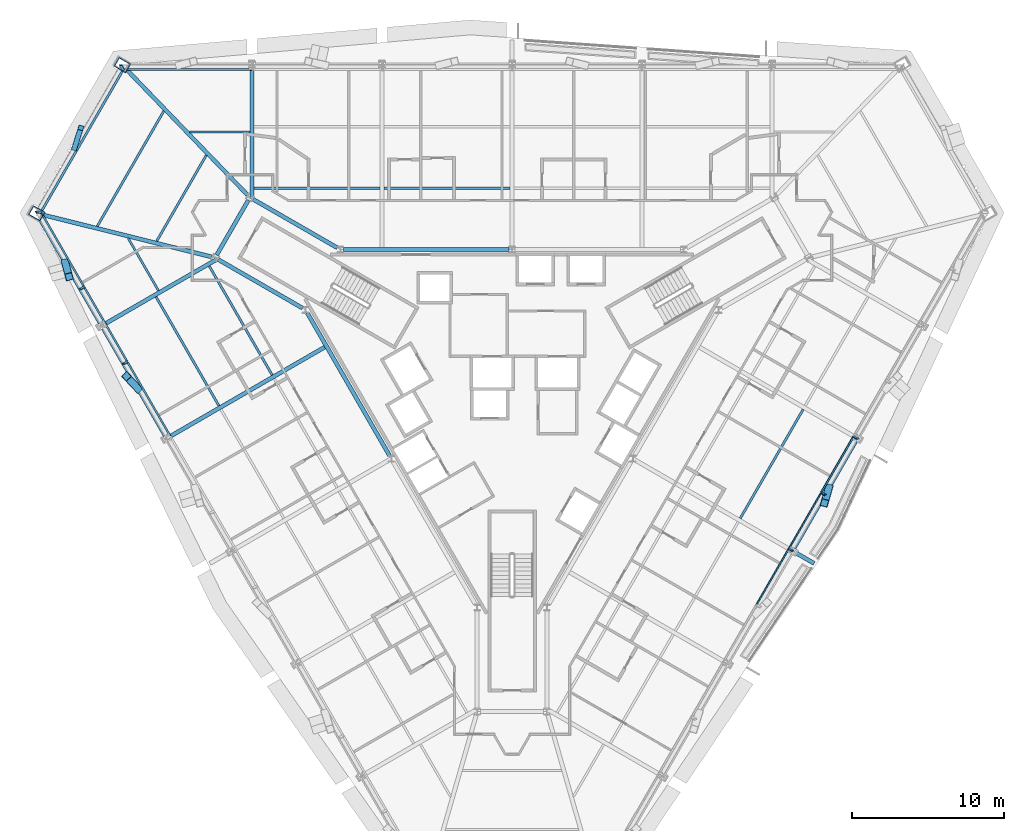
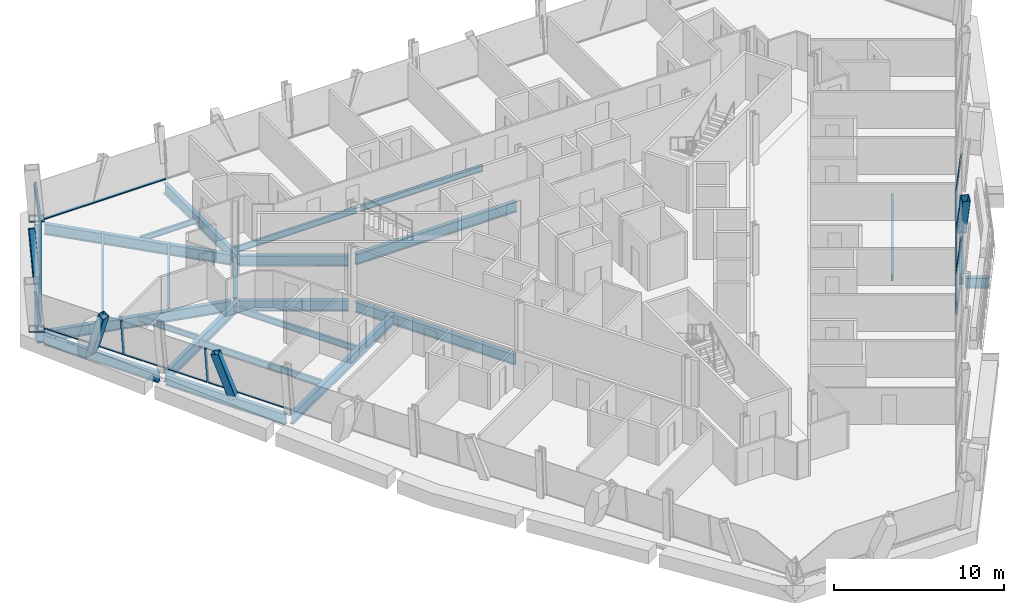
# One storey, part 4 of 15: 24 beams, 21 members, 4 elements without a shape of their own.
"""IFC4 building model written with IfcOpenShell, lengths in metres."""

from ifc_helpers import new_model, si_unit, direction, frame, origin, origin_2d, place, context, subcontext, project, spatial, rectangle, hollow_rectangle, i_section, extrude, material, material_profile, profile_set, type_object, element, aggregate, save


model = new_model("IFC4")

# Units and contexts
model_context = context("Model", 3, precision=1e-05, world=origin(), true_north=direction((0.0, 1.0)))
body_context = subcontext(model_context, "Body", "Model", "MODEL_VIEW")
ifc_project = project(units=[si_unit("LENGTHUNIT", "METRE"), si_unit("AREAUNIT", "SQUARE_METRE"), si_unit("VOLUMEUNIT", "CUBIC_METRE"), si_unit("PLANEANGLEUNIT", "RADIAN"), si_unit("MASSUNIT", "GRAM", prefix="KILO")], contexts=[model_context])

# Site, building, storey
site_placement = place(None, origin())
site = spatial("IfcSite", under=ifc_project, at=site_placement, CompositionType="ELEMENT")
building_placement = place(site_placement, origin())
building = spatial("IfcBuilding", under=site, at=building_placement, Name="Verrane Prism Tower", CompositionType="ELEMENT")
storey_placement = place(building_placement, frame((0.0, 0.0, 72.800048828125)))
storey = spatial("IfcBuildingStorey", under=building, at=storey_placement, Name="L16", CompositionType="ELEMENT", Elevation=72.800048828125)

# Member
ifc_material_1 = material(Name="Steel A500 Grade C", Category="steel")
ifc_material_profile_1 = material_profile(ifc_material_1, hollow_rectangle(XDim=0.355712890625, YDim=0.355712890625, WallThickness=0.0126953125, InnerFilletRadius=0.00634765625, OuterFilletRadius=0.01904296875, at=origin_2d()), Name="HSS14x14x1/2")
ifc_profile_set_1 = profile_set([ifc_material_profile_1], Name="Steel A500 Grade C")
member_type_1 = type_object("IfcMemberType", Name="Chamfer brace HSS14x14x1/2", PredefinedType="BRACE", material=ifc_profile_set_1)
member_1_placement = place(storey_placement, frame((-28.880615234375, 15.89892578125, -0.2451171875), z_axis=(0.127633458917, 0.402502282104, 0.906477585529), x_axis=(-0.953223279315, 0.302267066967, 0.0)))
element("IfcMember", 1, at=member_1_placement, inside=storey, type_object=member_type_1, Name="Chamfer brace NW0 L16", PredefinedType="BRACE", context=body_context, shape_type="SweptSolid", body=[
    extrude(hollow_rectangle(XDim=0.355712890625, YDim=0.355712890625, WallThickness=0.0126953125, InnerFilletRadius=0.00634765625, OuterFilletRadius=0.01904296875, at=origin_2d()), origin(), (0.0, 0.0, 1.0), 3.31298828125),
])

# Beams
ifc_material_2 = material(Name="Steel A992", Category="steel")
ifc_material_profile_2 = material_profile(ifc_material_2, i_section(OverallWidth=0.2666015625, OverallDepth=0.76708984375, WebThickness=0.014892578125, FlangeThickness=0.023681640625, FilletRadius=0.0166015625, at=origin_2d()), Name="W30x124")
ifc_profile_set_2 = profile_set([ifc_material_profile_2], Name="Steel A992")
beam_type_1 = type_object("IfcBeamType", Name="Chamfer spandrel beam W30x124", PredefinedType="SPANDREL", material=ifc_profile_set_2)
beam_1_placement = place(storey_placement, frame((-25.89501953125, 21.06689453125, -0.54345703125), z_axis=(-0.500233062516, -0.865890803257, 0.0), x_axis=(0.865890803257, -0.500233062516, 0.0)))
element("IfcBeam", 2, at=beam_1_placement, inside=storey, type_object=beam_type_1, Name="Chamfer spandrel beam L16", PredefinedType="SPANDREL", context=body_context, shape_type="SweptSolid", body=[
    extrude(i_section(OverallWidth=0.2666015625, OverallDepth=0.76708984375, WebThickness=0.014892578125, FlangeThickness=0.023681640625, FilletRadius=0.0166015625, at=origin_2d()), origin(), (0.0, 0.0, 1.0), 10.5947265625),
])
ifc_material_3 = material(Name="Steel A992", Category="steel")
ifc_material_profile_3 = material_profile(ifc_material_3, i_section(OverallWidth=0.2666015625, OverallDepth=0.7568359375, WebThickness=0.013916015625, FlangeThickness=0.019287109375, FilletRadius=0.0166015625, at=origin_2d()), Name="W30x108")
ifc_profile_set_3 = profile_set([ifc_material_profile_3], Name="Steel A992")
beam_type_2 = type_object("IfcBeamType", Name="Core ring girder W30x108", PredefinedType="BEAM", material=ifc_profile_set_3)
beam_2_placement = place(storey_placement, frame((-0.203125, 9.199951171875, -0.628662109375), z_axis=(-1.0, 0.0, 0.0), x_axis=(0.0, -1.0, 0.0)))
element("IfcBeam", 3, at=beam_2_placement, inside=storey, type_object=beam_type_2, Name="Core ring girder L16", PredefinedType="BEAM", context=body_context, shape_type="SweptSolid", body=[
    extrude(i_section(OverallWidth=0.2666015625, OverallDepth=0.7568359375, WebThickness=0.013916015625, FlangeThickness=0.019287109375, FilletRadius=0.0166015625, at=origin_2d()), origin(), (0.0, 0.0, 1.0), 10.923583984375),
])
beam_3_placement = place(storey_placement, frame((-11.533203125, 9.317138671875, -0.628662109375), z_axis=(-0.866447229751, 0.499268663203, 0.0), x_axis=(-0.499268663203, -0.866447229751, 0.0)))
element("IfcBeam", 4, at=beam_3_placement, inside=storey, type_object=beam_type_2, Name="Core ring girder L16", PredefinedType="BEAM", context=body_context, shape_type="SweptSolid", body=[
    extrude(i_section(OverallWidth=0.2666015625, OverallDepth=0.7568359375, WebThickness=0.013916015625, FlangeThickness=0.019287109375, FilletRadius=0.0166015625, at=origin_2d()), origin(), (0.0, 0.0, 1.0), 6.428466796875),
])
beam_4_placement = place(storey_placement, frame((-17.40478515625, 12.45849609375, -0.628662109375), z_axis=(-0.500349643494, -0.865823442888, 0.0), x_axis=(0.865823442888, -0.500349643494, 0.0)))
element("IfcBeam", 5, at=beam_4_placement, inside=storey, type_object=beam_type_2, Name="Core ring girder L16", PredefinedType="BEAM", context=body_context, shape_type="SweptSolid", body=[
    extrude(i_section(OverallWidth=0.2666015625, OverallDepth=0.7568359375, WebThickness=0.013916015625, FlangeThickness=0.019287109375, FilletRadius=0.0166015625, at=origin_2d()), origin(), (0.0, 0.0, 1.0), 4.177734375),
])
beam_5_placement = place(storey_placement, frame((-19.403076171875, 8.54638671875, -0.628662109375), z_axis=(0.86646365882, -0.499240150574, 0.0), x_axis=(0.499240150574, 0.86646365882, 0.0)))
element("IfcBeam", 6, at=beam_5_placement, inside=storey, type_object=beam_type_2, Name="Core ring girder L16", PredefinedType="BEAM", context=body_context, shape_type="SweptSolid", body=[
    extrude(i_section(OverallWidth=0.2666015625, OverallDepth=0.7568359375, WebThickness=0.013916015625, FlangeThickness=0.019287109375, FilletRadius=0.0166015625, at=origin_2d()), origin(), (0.0, 0.0, 1.0), 6.42822265625),
])
beam_6_placement = place(storey_placement, frame((-13.510009765625, 5.01171875, -0.628662109375), z_axis=(0.499371892062, -0.866387738498, 0.0), x_axis=(0.866387738498, 0.499371892062, 0.0)))
element("IfcBeam", 7, at=beam_6_placement, inside=storey, type_object=beam_type_2, Name="Core ring girder L16", PredefinedType="BEAM", context=body_context, shape_type="SweptSolid", body=[
    extrude(i_section(OverallWidth=0.2666015625, OverallDepth=0.7568359375, WebThickness=0.013916015625, FlangeThickness=0.019287109375, FilletRadius=0.0166015625, at=origin_2d()), origin(), (0.0, 0.0, 1.0), 10.853515625),
])
ifc_material_4 = material(Name="Steel A992", Category="steel")
ifc_material_profile_4 = material_profile(ifc_material_4, i_section(OverallWidth=0.2666015625, OverallDepth=0.76708984375, WebThickness=0.014892578125, FlangeThickness=0.023681640625, FilletRadius=0.0166015625, at=origin_2d()), Name="W30x124")
ifc_profile_set_4 = profile_set([ifc_material_profile_4], Name="Steel A992")
beam_type_3 = type_object("IfcBeamType", Name="Corner girder W30x124", PredefinedType="BEAM", material=ifc_profile_set_4)
beam_7_placement = place(storey_placement, frame((-25.39501953125, 21.032958984375, -0.603515625), z_axis=(0.694222573205, -0.719760389889, 0.0), x_axis=(0.719760389889, 0.694222573205, 0.0)))
element("IfcBeam", 8, at=beam_7_placement, inside=storey, type_object=beam_type_3, Name="Corner girder L16", PredefinedType="BEAM", context=body_context, shape_type="SweptSolid", body=[
    extrude(i_section(OverallWidth=0.2666015625, OverallDepth=0.76708984375, WebThickness=0.014892578125, FlangeThickness=0.023681640625, FilletRadius=0.0166015625, at=origin_2d()), origin(), (0.0, 0.0, 1.0), 11.424072265625),
])
beam_8_placement = place(storey_placement, frame((-31.3671875, 11.58935546875, -0.603515625), z_axis=(0.970381185605, -0.24157887868, 0.0), x_axis=(0.24157887868, 0.970381185605, 0.0)))
element("IfcBeam", 9, at=beam_8_placement, inside=storey, type_object=beam_type_3, Name="Corner girder L16", PredefinedType="BEAM", context=body_context, shape_type="SweptSolid", body=[
    extrude(i_section(OverallWidth=0.2666015625, OverallDepth=0.76708984375, WebThickness=0.014892578125, FlangeThickness=0.023681640625, FilletRadius=0.0166015625, at=origin_2d()), origin(), (0.0, 0.0, 1.0), 11.8896484375),
])

# Members
ifc_material_5 = material(Name="Steel A1085 Grade A", Category="steel")
ifc_material_profile_5 = material_profile(ifc_material_5, hollow_rectangle(XDim=0.508056640625, YDim=0.508056640625, WallThickness=0.025390625, InnerFilletRadius=0.0126953125, OuterFilletRadius=0.0380859375, at=origin_2d()), Name="HSS20x20x1")
ifc_profile_set_5 = profile_set([ifc_material_profile_5], Name="Steel A1085 Grade A")
member_type_2 = type_object("IfcMemberType", Name="Facade brace HSS20x20x1", PredefinedType="BRACE", material=ifc_profile_set_5)
member_2_placement = place(storey_placement, frame((-29.48583984375, 8.3310546875, -0.24267578125), z_axis=(0.078793794951, -0.293214985727, 0.952794054359), x_axis=(0.965738598489, 0.259516780554, 0.0)))
element("IfcMember", 10, at=member_2_placement, inside=storey, type_object=member_type_2, Name="Facade brace SW0 L16", PredefinedType="BRACE", context=body_context, shape_type="SweptSolid", body=[
    extrude(hollow_rectangle(XDim=0.508056640625, YDim=0.508056640625, WallThickness=0.025390625, InnerFilletRadius=0.0126953125, OuterFilletRadius=0.0380859375, at=origin_2d()), origin(), (0.0, 0.0, 1.0), 3.1572265625),
])
member_3_placement = place(storey_placement, frame((-24.68212890625, 0.01708984375, -0.24267578125), z_axis=(-0.237161873615, 0.25450961413, 0.937538853605), x_axis=(-0.731600522477, -0.681733581035, 0.0)))
element("IfcMember", 11, at=member_3_placement, inside=storey, type_object=member_type_2, Name="Facade brace SW1 L16", PredefinedType="BRACE", context=body_context, shape_type="SweptSolid", body=[
    extrude(hollow_rectangle(XDim=0.508056640625, YDim=0.508056640625, WallThickness=0.025390625, InnerFilletRadius=0.0126953125, OuterFilletRadius=0.0380859375, at=origin_2d()), origin(), (0.0, 0.0, 1.0), 3.208740234375),
])
member_4_placement = place(storey_placement, frame((20.90625, -6.530029296875, -0.24267578125), z_axis=(-0.089847110297, -0.313198893452, 0.94542791894), x_axis=(0.96123016039, -0.275747309607, 0.0)))
element("IfcMember", 12, at=member_4_placement, inside=storey, type_object=member_type_2, Name="Facade brace SE3 L16", PredefinedType="BRACE", context=body_context, shape_type="SweptSolid", body=[
    extrude(hollow_rectangle(XDim=0.508056640625, YDim=0.508056640625, WallThickness=0.025390625, InnerFilletRadius=0.0126953125, OuterFilletRadius=0.0380859375, at=origin_2d()), origin(), (0.0, 0.0, 1.0), 3.181884765625),
])

# Beams
ifc_material_6 = material(Name="Steel A992", Category="steel")
ifc_material_profile_6 = material_profile(ifc_material_6, i_section(OverallWidth=0.140380859375, OverallDepth=0.40380859375, WebThickness=0.007080078125, FlangeThickness=0.01123046875, FilletRadius=0.01025390625, at=origin_2d()), Name="W16x31")
ifc_profile_set_6 = profile_set([ifc_material_profile_6], Name="Steel A992")
beam_type_4 = type_object("IfcBeamType", Name="Floor beam W16x31", PredefinedType="BEAM", material=ifc_profile_set_6)
beam_9_placement = place(storey_placement, frame((-21.281005859375, 16.9599609375, -0.362060546875), z_axis=(1.0, 0.0, 0.0), x_axis=(0.0, 1.0, 0.0)))
element("IfcBeam", 13, at=beam_9_placement, inside=storey, type_object=beam_type_4, Name="Floor beam L16", PredefinedType="BEAM", context=body_context, shape_type="SweptSolid", body=[
    extrude(i_section(OverallWidth=0.140380859375, OverallDepth=0.40380859375, WebThickness=0.007080078125, FlangeThickness=0.01123046875, FilletRadius=0.01025390625, at=origin_2d()), origin(), (0.0, 0.0, 1.0), 3.99755859375),
])
beam_10_placement = place(storey_placement, frame((-23.333984375, 6.484375, -0.362060546875), z_axis=(-0.499997052475, 0.866027105532, 0.0), x_axis=(-0.866027105532, -0.499997052475, 0.0)))
element("IfcBeam", 14, at=beam_10_placement, inside=storey, type_object=beam_type_4, Name="Floor beam L16", PredefinedType="BEAM", context=body_context, shape_type="SweptSolid", body=[
    extrude(i_section(OverallWidth=0.140380859375, OverallDepth=0.40380859375, WebThickness=0.007080078125, FlangeThickness=0.01123046875, FilletRadius=0.01025390625, at=origin_2d()), origin(), (0.0, 0.0, 1.0), 4.001953125),
])
ifc_material_7 = material(Name="Steel A992", Category="steel")
ifc_material_profile_7 = material_profile(ifc_material_7, i_section(OverallWidth=0.15234375, OverallDepth=0.449462890625, WebThickness=0.007568359375, FlangeThickness=0.0107421875, FilletRadius=0.01025390625, at=origin_2d()), Name="W18x35")
ifc_profile_set_7 = profile_set([ifc_material_profile_7], Name="Steel A992")
beam_type_5 = type_object("IfcBeamType", Name="Floor beam W18x35", PredefinedType="BEAM", material=ifc_profile_set_7)
beam_11_placement = place(storey_placement, frame((-8.4365234375, 13.256591796875, -0.384765625), z_axis=(1.0, 0.0, 0.0), x_axis=(0.0, 1.0, 0.0)))
element("IfcBeam", 15, at=beam_11_placement, inside=storey, type_object=beam_type_5, Name="Floor beam L16", PredefinedType="BEAM", context=body_context, shape_type="SweptSolid", body=[
    extrude(i_section(OverallWidth=0.15234375, OverallDepth=0.449462890625, WebThickness=0.007568359375, FlangeThickness=0.0107421875, FilletRadius=0.01025390625, at=origin_2d()), origin(), (0.0, 0.0, 1.0), 8.302978515625),
])
beam_12_placement = place(storey_placement, frame((-17.0166015625, 13.256591796875, -0.384765625), z_axis=(1.0, 0.0, 0.0), x_axis=(0.0, 1.0, 0.0)))
element("IfcBeam", 16, at=beam_12_placement, inside=storey, type_object=beam_type_5, Name="Floor beam L16", PredefinedType="BEAM", context=body_context, shape_type="SweptSolid", body=[
    extrude(i_section(OverallWidth=0.15234375, OverallDepth=0.449462890625, WebThickness=0.007568359375, FlangeThickness=0.0107421875, FilletRadius=0.01025390625, at=origin_2d()), origin(), (0.0, 0.0, 1.0), 8.31298828125),
])
beam_13_placement = place(storey_placement, frame((-15.830078125, 0.91552734375, -0.384765625), z_axis=(-0.500002345008, 0.866024049889, 0.0), x_axis=(-0.866024049889, -0.500002345008, 0.0)))
element("IfcBeam", 17, at=beam_13_placement, inside=storey, type_object=beam_type_5, Name="Floor beam L16", PredefinedType="BEAM", context=body_context, shape_type="SweptSolid", body=[
    extrude(i_section(OverallWidth=0.15234375, OverallDepth=0.449462890625, WebThickness=0.007568359375, FlangeThickness=0.0107421875, FilletRadius=0.01025390625, at=origin_2d()), origin(), (0.0, 0.0, 1.0), 8.3056640625),
])
beam_14_placement = place(storey_placement, frame((-19.343505859375, -1.114501953125, -0.384765625), z_axis=(-0.499991203388, 0.866030482451, 0.0), x_axis=(-0.866030482451, -0.499991203388, 0.0)))
element("IfcBeam", 18, at=beam_14_placement, inside=storey, type_object=beam_type_5, Name="Floor beam L16", PredefinedType="BEAM", context=body_context, shape_type="SweptSolid", body=[
    extrude(i_section(OverallWidth=0.15234375, OverallDepth=0.449462890625, WebThickness=0.007568359375, FlangeThickness=0.0107421875, FilletRadius=0.01025390625, at=origin_2d()), origin(), (0.0, 0.0, 1.0), 8.309326171875),
])
beam_15_placement = place(storey_placement, frame((15.06103515625, -8.54296875, -0.384765625), z_axis=(0.500001430823, 0.866024577697, 0.0), x_axis=(-0.866024577697, 0.500001430823, 0.0)))
element("IfcBeam", 19, at=beam_15_placement, inside=storey, type_object=beam_type_5, Name="Floor beam L16", PredefinedType="BEAM", context=body_context, shape_type="SweptSolid", body=[
    extrude(i_section(OverallWidth=0.15234375, OverallDepth=0.449462890625, WebThickness=0.007568359375, FlangeThickness=0.0107421875, FilletRadius=0.01025390625, at=origin_2d()), origin(), (0.0, 0.0, 1.0), 8.3076171875),
])
beam_16_placement = place(storey_placement, frame((-23.45263671875, 9.756591796875, -0.384765625), z_axis=(0.499982664585, 0.86603541216, 0.0), x_axis=(-0.86603541216, 0.499982664585, 0.0)))
element("IfcBeam", 20, at=beam_16_placement, inside=storey, type_object=beam_type_5, Name="Floor beam L16", PredefinedType="BEAM", context=body_context, shape_type="SweptSolid", body=[
    extrude(i_section(OverallWidth=0.15234375, OverallDepth=0.449462890625, WebThickness=0.007568359375, FlangeThickness=0.0107421875, FilletRadius=0.01025390625, at=origin_2d()), origin(), (0.0, 0.0, 1.0), 6.551513671875),
])
beam_17_placement = place(storey_placement, frame((-27.376708984375, 10.7333984375, -0.384765625), z_axis=(0.499991890044, 0.866030086019, 0.0), x_axis=(-0.866030086019, 0.499991890044, 0.0)))
element("IfcBeam", 21, at=beam_17_placement, inside=storey, type_object=beam_type_5, Name="Floor beam L16", PredefinedType="BEAM", context=body_context, shape_type="SweptSolid", body=[
    extrude(i_section(OverallWidth=0.15234375, OverallDepth=0.449462890625, WebThickness=0.007568359375, FlangeThickness=0.0107421875, FilletRadius=0.01025390625, at=origin_2d()), origin(), (0.0, 0.0, 1.0), 8.784912109375),
])

# Members
ifc_material_8 = material(Name="Steel A572 Grade 50", Category="steel")
ifc_material_profile_8 = material_profile(ifc_material_8, hollow_rectangle(XDim=0.699951171875, YDim=0.89990234375, WallThickness=0.06494140625, at=origin_2d()), Name="BOX 900x700x65")
ifc_profile_set_8 = profile_set([ifc_material_profile_8], Name="Steel A572 Grade 50")
member_type_3 = type_object("IfcMemberType", Name="Kink node BOX 900x700x65", PredefinedType="COLLAR", material=ifc_profile_set_8)
for number, where, z_axis, x_axis, name in (
    (22, (-25.720947265625, 21.37158203125, -0.0400390625), (0.0, 0.0, 1.0), (0.5, 0.866025403784, 0.0), "Kink node MC3 L16"),
    (23, (-31.371826171875, 11.590087890625, -0.0400390625), (0.0, 0.0, 1.0), (0.5, 0.866025403784, 0.0), "Kink node MC3 L16"),
):
    element("IfcMember", number, at=place(storey_placement, frame(where, z_axis=z_axis, x_axis=x_axis)), inside=storey, type_object=member_type_3, Name=name, PredefinedType="COLLAR", context=body_context, shape_type="SweptSolid", body=[
        extrude(hollow_rectangle(XDim=0.699951171875, YDim=0.89990234375, WallThickness=0.06494140625, at=origin_2d()), origin(), (0.0, 0.0, 1.0), 0.080078125),
    ])

# Curtain wall, members
ifc_material_9 = material(Name="Aluminium framed insulated glazing", Category="aluminium")
curtain_wall_type_1 = type_object("IfcCurtainWallType", Name="Curtain wall CW-C 4200 module", PredefinedType="NOTDEFINED", material=ifc_material_9)
curtain_wall_1_placement = place(storey_placement, origin())
curtain_wall_1 = element("IfcCurtainWall", 24, at=curtain_wall_1_placement, inside=storey, type_object=curtain_wall_type_1, Name="Glazed curtain wall south-east face L16", PredefinedType="NOTDEFINED")
ifc_material_10 = material(Name="Aluminium alloy 6063-T6", Category="aluminium")
ifc_material_profile_9 = material_profile(ifc_material_10, rectangle(XDim=0.139892578125, YDim=0.050048828125, at=origin_2d()), Name="Mullion 50x140 aluminium")
ifc_profile_set_9 = profile_set([ifc_material_profile_9], Name="Aluminium alloy 6063-T6")
member_type_4 = type_object("IfcMemberType", Name="Mullion 50x140 aluminium", PredefinedType="MULLION", material=ifc_profile_set_9)
member_5_placement = place(storey_placement, frame((18.265380859375, -10.54541015625, 0.0), z_axis=(0.098771561601, -0.057090705249, 0.99347110174), x_axis=(-0.863445525252, -0.501206573881, 0.057042047835)))
member_5 = element("IfcMember", 25, at=member_5_placement, type_object=member_type_4, Name="CW14.6 mullion 7", PredefinedType="MULLION", context=body_context, shape_type="SweptSolid", body=[
    extrude(rectangle(XDim=0.139892578125, YDim=0.050048828125, at=origin_2d()), origin(), (0.0, 0.0, 1.0), 2.6298828125),
])
member_6_placement = place(storey_placement, frame((20.402587890625, -6.843505859375, 0.0), z_axis=(0.098864008635, -0.056997653805, 0.993467249212), x_axis=(-0.862886305746, -0.502166819343, 0.057058819711)))
member_6 = element("IfcMember", 26, at=member_6_placement, type_object=member_type_4, Name="CW14.6 mullion 8", PredefinedType="MULLION", context=body_context, shape_type="SweptSolid", body=[
    extrude(rectangle(XDim=0.139892578125, YDim=0.050048828125, at=origin_2d()), origin(), (0.0, 0.0, 1.0), 2.6298828125),
])
member_7_placement = place(storey_placement, frame((22.5400390625, -3.141357421875, 0.0), z_axis=(0.098864008635, -0.056997653805, 0.993467249212), x_axis=(-0.862886305746, -0.502166819343, 0.057058819711)))
member_7 = element("IfcMember", 27, at=member_7_placement, type_object=member_type_4, Name="CW14.6 mullion 9", PredefinedType="MULLION", context=body_context, shape_type="SweptSolid", body=[
    extrude(rectangle(XDim=0.139892578125, YDim=0.050048828125, at=origin_2d()), origin(), (0.0, 0.0, 1.0), 2.6298828125),
])

ifc_material_11 = material(Name="Aluminium framed insulated glazing", Category="aluminium")
curtain_wall_type_2 = type_object("IfcCurtainWallType", Name="Curtain wall CW-B 5600 module", PredefinedType="NOTDEFINED", material=ifc_material_11)
curtain_wall_2_placement = place(storey_placement, origin())
curtain_wall_2 = element("IfcCurtainWall", 28, at=curtain_wall_2_placement, inside=storey, type_object=curtain_wall_type_2, Name="Glazed curtain wall south-west face L16", PredefinedType="NOTDEFINED")
ifc_material_12 = material(Name="Aluminium alloy 6063-T6", Category="aluminium")
ifc_material_profile_10 = material_profile(ifc_material_12, rectangle(XDim=0.159912109375, YDim=0.06005859375, at=origin_2d()), Name="Mullion 60x160 aluminium")
ifc_profile_set_10 = profile_set([ifc_material_profile_10], Name="Aluminium alloy 6063-T6")
member_type_5 = type_object("IfcMemberType", Name="Mullion 60x160 aluminium", PredefinedType="MULLION", material=ifc_profile_set_10)
member_8_placement = place(storey_placement, frame((-31.07470703125, 11.64111328125, 0.0), z_axis=(-0.137072158686, 0.009995809006, 0.990510629481), x_axis=(0.430957386146, -0.899751940347, 0.068718099275)))
member_8 = element("IfcMember", 29, at=member_8_placement, type_object=member_type_5, Name="CW14.4 mullion 1", PredefinedType="MULLION", context=body_context, shape_type="SweptSolid", body=[
    extrude(rectangle(XDim=0.159912109375, YDim=0.06005859375, at=origin_2d()), origin(), (0.0, 0.0, 1.0), 2.637939453125),
])
member_9_placement = place(storey_placement, frame((-28.23974609375, 6.73095703125, 0.0), z_axis=(-0.098771561601, -0.057090705249, 0.99347110174), x_axis=(0.863445525252, -0.501206573881, 0.057042047835)))
member_9 = element("IfcMember", 30, at=member_9_placement, type_object=member_type_5, Name="CW14.4 mullion 2", PredefinedType="MULLION", context=body_context, shape_type="SweptSolid", body=[
    extrude(rectangle(XDim=0.159912109375, YDim=0.06005859375, at=origin_2d()), origin(), (0.0, 0.0, 1.0), 2.6298828125),
])
member_10_placement = place(storey_placement, frame((-25.389892578125, 1.794677734375, 0.0), z_axis=(-0.098772084644, -0.056998176665, 0.993476362654), x_axis=(0.863094352371, -0.501813667585, 0.057019136519)))
member_10 = element("IfcMember", 31, at=member_10_placement, type_object=member_type_5, Name="CW14.4 mullion 3", PredefinedType="MULLION", context=body_context, shape_type="SweptSolid", body=[
    extrude(rectangle(XDim=0.159912109375, YDim=0.06005859375, at=origin_2d()), origin(), (0.0, 0.0, 1.0), 2.6298828125),
])

# Curtain wall, member
ifc_material_13 = material(Name="Aluminium framed insulated glazing", Category="aluminium")
curtain_wall_type_3 = type_object("IfcCurtainWallType", Name="Curtain wall CW-A 8400 module", PredefinedType="NOTDEFINED", material=ifc_material_13)
curtain_wall_3_placement = place(storey_placement, origin())
curtain_wall_3 = element("IfcCurtainWall", 32, at=curtain_wall_3_placement, inside=storey, type_object=curtain_wall_type_3, Name="Glazed curtain wall north-west corner L16", PredefinedType="NOTDEFINED")
ifc_material_14 = material(Name="Aluminium alloy 6063-T6", Category="aluminium")
ifc_material_profile_11 = material_profile(ifc_material_14, rectangle(XDim=0.199951171875, YDim=0.070068359375, at=origin_2d()), Name="Mullion 70x200 aluminium")
ifc_profile_set_11 = profile_set([ifc_material_profile_11], Name="Aluminium alloy 6063-T6")
member_type_6 = type_object("IfcMemberType", Name="Mullion 70x200 aluminium", PredefinedType="MULLION", material=ifc_profile_set_11)
member_11_placement = place(storey_placement, frame((-25.666259765625, 21.060791015625, 0.0), z_axis=(-0.059225499328, 0.125206407173, 0.990361396578), x_axis=(-0.994598728574, 0.077313373888, -0.069253240624)))
member_11 = element("IfcMember", 33, at=member_11_placement, type_object=member_type_6, Name="CW14.3 mullion 1", PredefinedType="MULLION", context=body_context, shape_type="SweptSolid", body=[
    extrude(rectangle(XDim=0.199951171875, YDim=0.070068359375, at=origin_2d()), origin(), (0.0, 0.0, 1.0), 2.63818359375),
])

# Beams
ifc_material_15 = material(Name="Steel A992", Category="steel")
ifc_material_profile_12 = material_profile(ifc_material_15, i_section(OverallWidth=0.2666015625, OverallDepth=0.76708984375, WebThickness=0.014892578125, FlangeThickness=0.023681640625, FilletRadius=0.0166015625, at=origin_2d()), Name="W30x124")
ifc_profile_set_12 = profile_set([ifc_material_profile_12], Name="Steel A992")
beam_type_6 = type_object("IfcBeamType", Name="Radial girder W30x124", PredefinedType="BEAM", material=ifc_profile_set_12)
beam_18_placement = place(storey_placement, frame((-17.14990234375, 21.12109375, -0.603515625), z_axis=(0.0, -1.0, 0.0), x_axis=(1.0, 0.0, 0.0)))
element("IfcBeam", 34, at=beam_18_placement, inside=storey, type_object=beam_type_6, Name="Radial girder L16", PredefinedType="BEAM", context=body_context, shape_type="SweptSolid", body=[
    extrude(i_section(OverallWidth=0.2666015625, OverallDepth=0.76708984375, WebThickness=0.014892578125, FlangeThickness=0.023681640625, FilletRadius=0.0166015625, at=origin_2d()), origin(), (0.0, 0.0, 1.0), 8.5673828125),
])
beam_19_placement = place(storey_placement, frame((-26.864501953125, 4.29443359375, -0.603515625), z_axis=(0.866021248858, 0.500007196474, 0.0), x_axis=(-0.500007196474, 0.866021248858, 0.0)))
element("IfcBeam", 35, at=beam_19_placement, inside=storey, type_object=beam_type_6, Name="Radial girder L16", PredefinedType="BEAM", context=body_context, shape_type="SweptSolid", body=[
    extrude(i_section(OverallWidth=0.2666015625, OverallDepth=0.76708984375, WebThickness=0.014892578125, FlangeThickness=0.023681640625, FilletRadius=0.0166015625, at=origin_2d()), origin(), (0.0, 0.0, 1.0), 8.559814453125),
])
beam_20_placement = place(storey_placement, frame((-22.574462890625, -3.135498046875, -0.603515625), z_axis=(0.866026670785, 0.499997805483, 0.0), x_axis=(-0.499997805483, 0.866026670785, 0.0)))
element("IfcBeam", 36, at=beam_20_placement, inside=storey, type_object=beam_type_6, Name="Radial girder L16", PredefinedType="BEAM", context=body_context, shape_type="SweptSolid", body=[
    extrude(i_section(OverallWidth=0.2666015625, OverallDepth=0.76708984375, WebThickness=0.014892578125, FlangeThickness=0.023681640625, FilletRadius=0.0166015625, at=origin_2d()), origin(), (0.0, 0.0, 1.0), 11.921875),
])
beam_21_placement = place(storey_placement, frame((18.72216796875, -10.8125, -0.603515625), z_axis=(0.865953808824, -0.500123985611, 0.0), x_axis=(0.500123985611, 0.865953808824, 0.0)))
element("IfcBeam", 37, at=beam_21_placement, inside=storey, type_object=beam_type_6, Name="Cantilever girder L16", PredefinedType="BEAM", context=body_context, shape_type="SweptSolid", body=[
    extrude(i_section(OverallWidth=0.2666015625, OverallDepth=0.76708984375, WebThickness=0.014892578125, FlangeThickness=0.023681640625, FilletRadius=0.0166015625, at=origin_2d()), origin(), (0.0, 0.0, 1.0), 1.403564453125),
])
ifc_material_16 = material(Name="Steel A992", Category="steel")
ifc_material_profile_13 = material_profile(ifc_material_16, i_section(OverallWidth=0.2666015625, OverallDepth=0.7568359375, WebThickness=0.013916015625, FlangeThickness=0.019287109375, FilletRadius=0.0166015625, at=origin_2d()), Name="W30x108")
ifc_profile_set_13 = profile_set([ifc_material_profile_13], Name="Steel A992")
beam_type_7 = type_object("IfcBeamType", Name="Spandrel beam W30x108", PredefinedType="SPANDREL", material=ifc_profile_set_13)
beam_22_placement = place(storey_placement, frame((-31.110107421875, 11.140380859375, -0.53857421875), z_axis=(0.50054491005, -0.865710571163, 0.0), x_axis=(0.865710571163, 0.50054491005, 0.0)))
element("IfcBeam", 38, at=beam_22_placement, inside=storey, type_object=beam_type_7, Name="Spandrel beam L16", PredefinedType="SPANDREL", context=body_context, shape_type="SweptSolid", body=[
    extrude(i_section(OverallWidth=0.2666015625, OverallDepth=0.7568359375, WebThickness=0.013916015625, FlangeThickness=0.019287109375, FilletRadius=0.0166015625, at=origin_2d()), origin(), (0.0, 0.0, 1.0), 7.835693359375),
])
beam_23_placement = place(storey_placement, frame((-26.971923828125, 3.98291015625, -0.53857421875), z_axis=(0.500022470507, -0.866012430043, 0.0), x_axis=(0.866012430043, 0.500022470507, 0.0)))
element("IfcBeam", 39, at=beam_23_placement, inside=storey, type_object=beam_type_7, Name="Spandrel beam L16", PredefinedType="SPANDREL", context=body_context, shape_type="SweptSolid", body=[
    extrude(i_section(OverallWidth=0.2666015625, OverallDepth=0.7568359375, WebThickness=0.013916015625, FlangeThickness=0.019287109375, FilletRadius=0.0166015625, at=origin_2d()), origin(), (0.0, 0.0, 1.0), 8.147705078125),
])
beam_24_placement = place(storey_placement, frame((18.617919921875, -10.5029296875, -0.53857421875), z_axis=(0.499122745432, 0.866531294872, 0.0), x_axis=(-0.866531294872, 0.499122745432, 0.0)))
element("IfcBeam", 40, at=beam_24_placement, inside=storey, type_object=beam_type_7, Name="Spandrel beam L16", PredefinedType="SPANDREL", context=body_context, shape_type="SweptSolid", body=[
    extrude(i_section(OverallWidth=0.2666015625, OverallDepth=0.7568359375, WebThickness=0.013916015625, FlangeThickness=0.019287109375, FilletRadius=0.0166015625, at=origin_2d()), origin(), (0.0, 0.0, 1.0), 8.142822265625),
])

# Member
ifc_material_17 = material(Name="Aluminium alloy 6063-T6", Category="aluminium")
ifc_material_profile_14 = material_profile(ifc_material_17, rectangle(XDim=0.10009765625, YDim=0.050048828125, at=origin_2d()), Name="Transom 50x100 aluminium")
ifc_profile_set_14 = profile_set([ifc_material_profile_14], Name="Aluminium alloy 6063-T6")
member_type_7 = type_object("IfcMemberType", Name="Transom 50x100 aluminium", PredefinedType="USERDEFINED", material=ifc_profile_set_14)
member_12_placement = place(storey_placement, frame((16.140380859375, -14.225830078125, 0.02490234375), z_axis=(0.499992582699, 0.866029686123, 0.0), x_axis=(-0.866029686123, 0.499992582699, 0.0)))
member_12 = element("IfcMember", 41, at=member_12_placement, type_object=member_type_7, Name="CW14.6 transom 6", ObjectType="TRANSOM", PredefinedType="USERDEFINED", context=body_context, shape_type="SweptSolid", body=[
    extrude(rectangle(XDim=0.10009765625, YDim=0.050048828125, at=origin_2d()), origin(), (0.0, 0.0, 1.0), 4.224609375),
])

member_13_placement = place(storey_placement, frame((18.27783203125, -10.52392578125, 0.02490234375), z_axis=(0.499967560512, 0.866044131922, 0.0), x_axis=(-0.866044131922, 0.499967560512, 0.0)))
member_13 = element("IfcMember", 42, at=member_13_placement, type_object=member_type_7, Name="CW14.6 transom 7", ObjectType="TRANSOM", PredefinedType="USERDEFINED", context=body_context, shape_type="SweptSolid", body=[
    extrude(rectangle(XDim=0.10009765625, YDim=0.050048828125, at=origin_2d()), origin(), (0.0, 0.0, 1.0), 4.224853515625),
])

member_14_placement = place(storey_placement, frame((20.415283203125, -6.82177734375, 0.02490234375), z_axis=(0.499992582699, 0.866029686123, 0.0), x_axis=(-0.866029686123, 0.499992582699, 0.0)))
member_14 = element("IfcMember", 43, at=member_14_placement, type_object=member_type_7, Name="CW14.6 transom 8", ObjectType="TRANSOM", PredefinedType="USERDEFINED", context=body_context, shape_type="SweptSolid", body=[
    extrude(rectangle(XDim=0.10009765625, YDim=0.050048828125, at=origin_2d()), origin(), (0.0, 0.0, 1.0), 4.224609375),
])

aggregate(curtain_wall_1, [member_5, member_6, member_7, member_12, member_13, member_14])

ifc_material_18 = material(Name="Aluminium alloy 6063-T6", Category="aluminium")
ifc_material_profile_15 = material_profile(ifc_material_18, rectangle(XDim=0.1201171875, YDim=0.06005859375, at=origin_2d()), Name="Transom 60x120 aluminium")
ifc_profile_set_15 = profile_set([ifc_material_profile_15], Name="Aluminium alloy 6063-T6")
member_type_8 = type_object("IfcMemberType", Name="Transom 60x120 aluminium", PredefinedType="USERDEFINED", material=ifc_profile_set_15)
member_15_placement = place(storey_placement, frame((-31.059814453125, 11.614990234375, 0.030029296875), z_axis=(0.500010020406, -0.866019618423, 0.0), x_axis=(0.866019618423, 0.500010020406, 0.0)))
member_15 = element("IfcMember", 44, at=member_15_placement, type_object=member_type_8, Name="CW14.4 transom 1", ObjectType="TRANSOM", PredefinedType="USERDEFINED", context=body_context, shape_type="SweptSolid", body=[
    extrude(rectangle(XDim=0.1201171875, YDim=0.06005859375, at=origin_2d()), origin(), (0.0, 0.0, 1.0), 5.60986328125),
])

member_16_placement = place(storey_placement, frame((-28.224853515625, 6.704833984375, 0.030029296875), z_axis=(0.500003502126, -0.866023381821, 0.0), x_axis=(0.866023381821, 0.500003502126, 0.0)))
member_16 = element("IfcMember", 45, at=member_16_placement, type_object=member_type_8, Name="CW14.4 transom 2", ObjectType="TRANSOM", PredefinedType="USERDEFINED", context=body_context, shape_type="SweptSolid", body=[
    extrude(rectangle(XDim=0.1201171875, YDim=0.06005859375, at=origin_2d()), origin(), (0.0, 0.0, 1.0), 5.6396484375),
])

member_17_placement = place(storey_placement, frame((-25.375, 1.768798828125, 0.030029296875), z_axis=(0.500003502126, -0.866023381821, 0.0), x_axis=(0.866023381821, 0.500003502126, 0.0)))
member_17 = element("IfcMember", 46, at=member_17_placement, type_object=member_type_8, Name="CW14.4 transom 3", ObjectType="TRANSOM", PredefinedType="USERDEFINED", context=body_context, shape_type="SweptSolid", body=[
    extrude(rectangle(XDim=0.1201171875, YDim=0.06005859375, at=origin_2d()), origin(), (0.0, 0.0, 1.0), 5.6396484375),
])

aggregate(curtain_wall_2, [member_8, member_9, member_10, member_15, member_16, member_17])

# Curtain wall, member
curtain_wall_4_placement = place(storey_placement, origin())
curtain_wall_4 = element("IfcCurtainWall", 47, at=curtain_wall_4_placement, inside=storey, type_object=curtain_wall_type_3, Name="Glazed curtain wall north face L16", PredefinedType="NOTDEFINED")
ifc_material_19 = material(Name="Aluminium alloy 6063-T6", Category="aluminium")
ifc_material_profile_16 = material_profile(ifc_material_19, rectangle(XDim=0.14990234375, YDim=0.070068359375, at=origin_2d()), Name="Transom 70x150 aluminium")
ifc_profile_set_16 = profile_set([ifc_material_profile_16], Name="Aluminium alloy 6063-T6")
member_type_9 = type_object("IfcMemberType", Name="Transom 70x150 aluminium", PredefinedType="USERDEFINED", material=ifc_profile_set_16)
member_18_placement = place(storey_placement, frame((-17.13427734375, 21.091064453125, 0.034912109375), z_axis=(-1.0, 0.0, 0.0), x_axis=(0.0, -1.0, 0.0)))
member_18 = element("IfcMember", 48, at=member_18_placement, type_object=member_type_9, Name="CW14.2 transom 6", ObjectType="TRANSOM", PredefinedType="USERDEFINED", context=body_context, shape_type="SweptSolid", body=[
    extrude(rectangle(XDim=0.14990234375, YDim=0.070068359375, at=origin_2d()), origin(), (0.0, 0.0, 1.0), 8.514404296875),
])
aggregate(curtain_wall_4, [member_18])

# Member
member_19_placement = place(storey_placement, frame((-25.683837890625, 21.0302734375, 0.034912109375), z_axis=(-0.499990896557, -0.866030659596, 0.0), x_axis=(0.866030659596, -0.499990896557, 0.0)))
member_19 = element("IfcMember", 49, at=member_19_placement, type_object=member_type_9, Name="CW14.3 transom 1", ObjectType="TRANSOM", PredefinedType="USERDEFINED", context=body_context, shape_type="SweptSolid", body=[
    extrude(rectangle(XDim=0.14990234375, YDim=0.070068359375, at=origin_2d()), origin(), (0.0, 0.0, 1.0), 10.811767578125),
])

aggregate(curtain_wall_3, [member_11, member_19])

save(model, "model.ifc")
